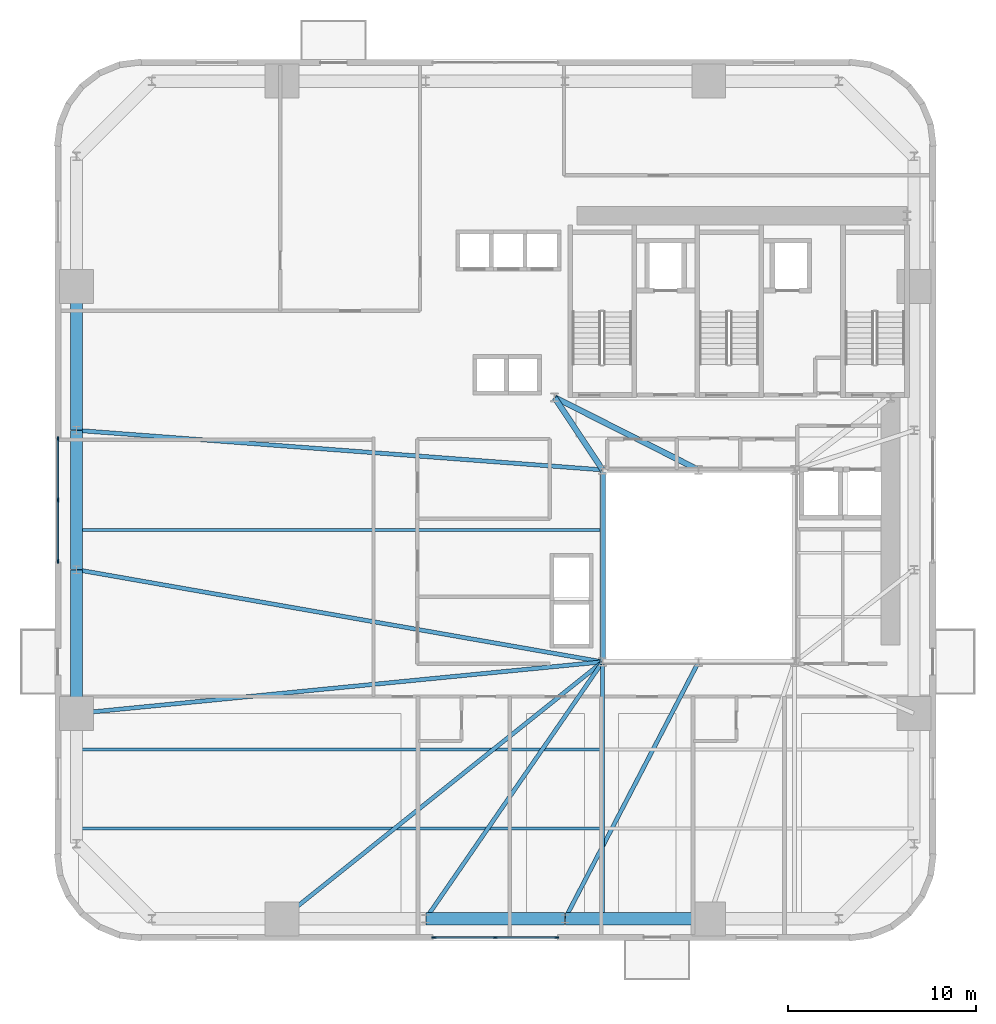
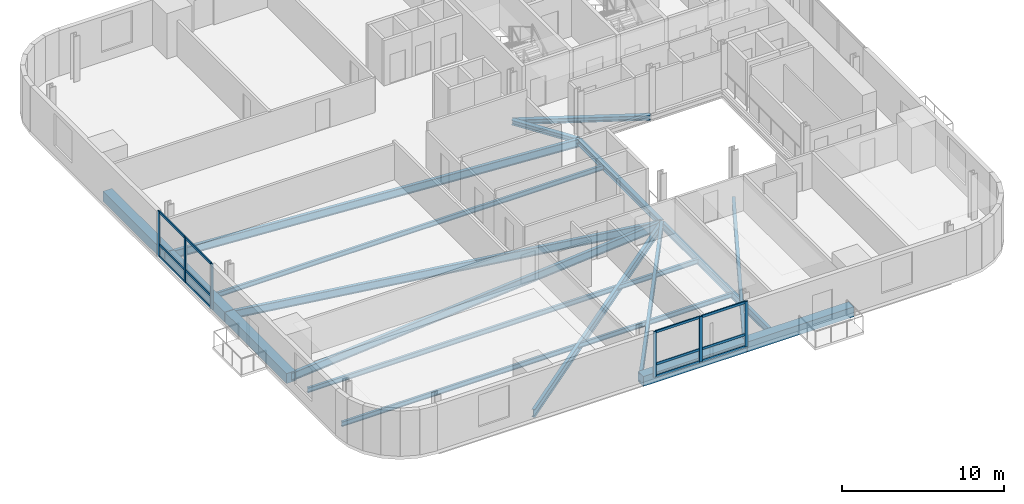
# One storey, part 2 of 13: 18 beams, 18 members, 2 elements without a shape of their own.
"""IFC4 building model written with IfcOpenShell, lengths in metres."""

from ifc_helpers import new_model, si_unit, direction, frame, origin, origin_2d, place, context, subcontext, project, spatial, rectangle, i_section, extrude, source, transform, mapped, material, material_profile, profile_set, type_object, element, aggregate, save


model = new_model("IFC4")

# Units and contexts
model_context = context("Model", 3, precision=1e-05, world=origin(), true_north=direction((0.0, 1.0)))
body_context = subcontext(model_context, "Body", "Model", "MODEL_VIEW")
ifc_project = project(units=[si_unit("LENGTHUNIT", "METRE"), si_unit("AREAUNIT", "SQUARE_METRE"), si_unit("VOLUMEUNIT", "CUBIC_METRE"), si_unit("PLANEANGLEUNIT", "RADIAN"), si_unit("MASSUNIT", "GRAM", prefix="KILO")], contexts=[model_context])

# Site, building, storey
site_placement = place(None, origin())
site = spatial("IfcSite", under=ifc_project, at=site_placement, CompositionType="ELEMENT")
building_placement = place(site_placement, origin())
building = spatial("IfcBuilding", under=site, at=building_placement, Name="Vardaveli Station Tower", CompositionType="ELEMENT")
storey_placement = place(building_placement, frame((0.0, 0.0, 45.85009765625)))
storey = spatial("IfcBuildingStorey", under=building, at=storey_placement, Name="L11", CompositionType="ELEMENT", Elevation=45.85009765625)

# Beams
ifc_material_1 = material(Name="Structural steel S355J2", Category="steel")
ifc_material_profile_1 = material_profile(ifc_material_1, i_section(OverallWidth=0.300048828125, OverallDepth=0.449951171875, WebThickness=0.013916015625, FlangeThickness=0.02587890625, FilletRadius=0.027099609375, at=origin_2d()), Name="HEB 450")
ifc_profile_set_1 = profile_set([ifc_material_profile_1], Name="Structural steel S355J2")
beam_type_1 = type_object("IfcBeamType", Name="BM-HEB450", PredefinedType="BEAM", material=ifc_profile_set_1)
shared_shape_1 = source(origin(), body_context, "Body", "SweptSolid", [
    extrude(i_section(OverallWidth=0.300048828125, OverallDepth=0.449951171875, WebThickness=0.013916015625, FlangeThickness=0.02587890625, FilletRadius=0.027099609375, at=origin_2d()), origin(), (0.0, 0.0, 1.0), 10.159912109375),
])
beam_1_placement = place(storey_placement, frame((31.199951171875, 26.780029296875, -0.465087890625), z_axis=(0.0, -1.0, 0.0), x_axis=(1.0, 0.0, 0.0)))
element("IfcBeam", 1, at=beam_1_placement, inside=storey, type_object=beam_type_1, Name="ABM-L11-06", PredefinedType="BEAM", context=body_context, shape_type="MappedRepresentation", body=[
    mapped(shared_shape_1, transform((0.0, 0.0, 0.0), scale=1.0)),
])
ifc_material_profile_2 = material_profile(ifc_material_1, i_section(OverallWidth=0.300048828125, OverallDepth=0.360107421875, WebThickness=0.012451171875, FlangeThickness=0.0224609375, FilletRadius=0.027099609375, at=origin_2d()), Name="HEB 360")
ifc_profile_set_2 = profile_set([ifc_material_profile_2], Name="Structural steel S355J2")
beam_type_2 = type_object("IfcBeamType", Name="BM-HEB360", PredefinedType="BEAM", material=ifc_profile_set_2)
shared_shape_2 = source(origin(), body_context, "Body", "SweptSolid", [
    extrude(i_section(OverallWidth=0.300048828125, OverallDepth=0.360107421875, WebThickness=0.012451171875, FlangeThickness=0.0224609375, FilletRadius=0.027099609375, at=origin_2d()), origin(), (0.0, 0.0, 1.0), 4.577880859375),
])
beam_2_placement = place(storey_placement, frame((31.18896484375, 26.816650390625, -0.420166015625), z_axis=(-0.55218702139, 0.833720272879, 0.0), x_axis=(-0.833720272879, -0.55218702139, 0.0)))
element("IfcBeam", 2, at=beam_2_placement, inside=storey, type_object=beam_type_2, Name="CBM-L11-01", PredefinedType="BEAM", context=body_context, shape_type="MappedRepresentation", body=[
    mapped(shared_shape_2, transform((0.0, 0.0, 0.0), scale=1.0)),
])
shared_shape_3 = source(origin(), body_context, "Body", "SweptSolid", [
    extrude(i_section(OverallWidth=0.300048828125, OverallDepth=0.360107421875, WebThickness=0.012451171875, FlangeThickness=0.0224609375, FilletRadius=0.027099609375, at=origin_2d()), origin(), (0.0, 0.0, 1.0), 8.524169921875),
])
beam_3_placement = place(storey_placement, frame((28.66796875, 30.64111328125, -0.420166015625), z_axis=(0.893255584708, -0.449549174605, 0.0), x_axis=(0.449549174605, 0.893255584708, 0.0)))
element("IfcBeam", 3, at=beam_3_placement, inside=storey, type_object=beam_type_2, Name="CBM-L11-03", PredefinedType="BEAM", context=body_context, shape_type="MappedRepresentation", body=[
    mapped(shared_shape_3, transform((0.0, 0.0, 0.0), scale=1.0)),
])
ifc_material_2 = material(Name="Precast concrete C45/55", Category="concrete")
ifc_material_profile_3 = material_profile(ifc_material_2, rectangle(XDim=0.64990234375, YDim=0.75, at=origin_2d()), Name="LPB 650x750")
ifc_profile_set_3 = profile_set([ifc_material_profile_3], Name="Precast concrete C45/55")
beam_type_3 = type_object("IfcBeamType", Name="BM-LPB-750", PredefinedType="BEAM", material=ifc_profile_set_3)
shared_shape_4 = source(origin(), body_context, "Body", "SweptSolid", [
    extrude(rectangle(XDim=0.64990234375, YDim=0.75, at=origin_2d()), origin(), (0.0, 0.0, 1.0), 7.60009765625),
])
for number, where, z_axis, x_axis, name in (
    (4, (29.219970703125, 2.949951171875, -0.614990234375), (1.0, 0.0, 0.0), (0.0, 1.0, 0.0), "RBM-L11-03"),
    (5, (3.25, 36.52001953125, -0.614990234375), (0.0, -1.0, 0.0), (1.0, 0.0, 0.0), "RBM-L11-19"),
    (6, (3.25, 21.47998046875, -0.614990234375), (0.0, -1.0, 0.0), (1.0, 0.0, 0.0), "RBM-L11-21"),
):
    element("IfcBeam", number, at=place(storey_placement, frame(where, z_axis=z_axis, x_axis=x_axis)), inside=storey, type_object=beam_type_3, Name=name, PredefinedType="BEAM", context=body_context, shape_type="MappedRepresentation", body=[
        mapped(shared_shape_4, transform((0.0, 0.0, 0.0), scale=1.0)),
    ])
shared_shape_5 = source(origin(), body_context, "Body", "SweptSolid", [
    extrude(rectangle(XDim=0.64990234375, YDim=0.75, at=origin_2d()), origin(), (0.0, 0.0, 1.0), 7.35986328125),
])
for number, where, z_axis, x_axis, name in (
    (7, (21.820068359375, 2.949951171875, -0.614990234375), (1.0, 0.0, 0.0), (0.0, 1.0, 0.0), "RBM-L11-02"),
    (8, (3.25, 28.8798828125, -0.614990234375), (0.0, -1.0, 0.0), (1.0, 0.0, 0.0), "RBM-L11-20"),
):
    element("IfcBeam", number, at=place(storey_placement, frame(where, z_axis=z_axis, x_axis=x_axis)), inside=storey, type_object=beam_type_3, Name=name, PredefinedType="BEAM", context=body_context, shape_type="MappedRepresentation", body=[
        mapped(shared_shape_5, transform((0.0, 0.0, 0.0), scale=1.0)),
    ])
ifc_material_profile_4 = material_profile(ifc_material_1, i_section(OverallWidth=0.219970703125, OverallDepth=0.60009765625, WebThickness=0.011962890625, FlangeThickness=0.01904296875, FilletRadius=0.02392578125, at=origin_2d()), Name="IPE 600")
ifc_profile_set_4 = profile_set([ifc_material_profile_4], Name="Structural steel S355J2")
beam_type_4 = type_object("IfcBeamType", Name="BM-IPE600", PredefinedType="BEAM", material=ifc_profile_set_4)
shared_shape_6 = source(origin(), body_context, "Body", "SweptSolid", [
    extrude(i_section(OverallWidth=0.219970703125, OverallDepth=0.60009765625, WebThickness=0.011962890625, FlangeThickness=0.01904296875, FilletRadius=0.02392578125, at=origin_2d()), origin(), (0.0, 0.0, 1.0), 21.793212890625),
])
beam_4_placement = place(storey_placement, frame((14.175537109375, 2.96240234375, -0.5400390625), z_axis=(0.780466445023, 0.625197671296, 0.0), x_axis=(-0.625197671296, 0.780466445023, 0.0)))
element("IfcBeam", 9, at=beam_4_placement, inside=storey, type_object=beam_type_4, Name="GBM-L11-01", PredefinedType="BEAM", context=body_context, shape_type="MappedRepresentation", body=[
    mapped(shared_shape_6, transform((0.0, 0.0, 0.0), scale=1.0)),
])
shared_shape_7 = source(origin(), body_context, "Body", "SweptSolid", [
    extrude(i_section(OverallWidth=0.219970703125, OverallDepth=0.60009765625, WebThickness=0.011962890625, FlangeThickness=0.01904296875, FilletRadius=0.02392578125, at=origin_2d()), origin(), (0.0, 0.0, 1.0), 16.533447265625),
])
beam_5_placement = place(storey_placement, frame((21.811279296875, 2.966552734375, -0.5400390625), z_axis=(0.567177272103, 0.823595739431, 0.0), x_axis=(-0.823595739431, 0.567177272103, 0.0)))
element("IfcBeam", 10, at=beam_5_placement, inside=storey, type_object=beam_type_4, Name="GBM-L11-02", PredefinedType="BEAM", context=body_context, shape_type="MappedRepresentation", body=[
    mapped(shared_shape_7, transform((0.0, 0.0, 0.0), scale=1.0)),
])
shared_shape_8 = source(origin(), body_context, "Body", "SweptSolid", [
    extrude(i_section(OverallWidth=0.219970703125, OverallDepth=0.60009765625, WebThickness=0.011962890625, FlangeThickness=0.01904296875, FilletRadius=0.02392578125, at=origin_2d()), origin(), (0.0, 0.0, 1.0), 15.34619140625),
])
beam_6_placement = place(storey_placement, frame((29.209228515625, 2.9677734375, -0.5400390625), z_axis=(0.461455420507, 0.887163398075, 0.0), x_axis=(-0.887163398075, 0.461455420507, 0.0)))
element("IfcBeam", 11, at=beam_6_placement, inside=storey, type_object=beam_type_4, Name="GBM-L11-03", PredefinedType="BEAM", context=body_context, shape_type="MappedRepresentation", body=[
    mapped(shared_shape_8, transform((0.0, 0.0, 0.0), scale=1.0)),
])
shared_shape_9 = source(origin(), body_context, "Body", "SweptSolid", [
    extrude(i_section(OverallWidth=0.219970703125, OverallDepth=0.60009765625, WebThickness=0.011962890625, FlangeThickness=0.01904296875, FilletRadius=0.02392578125, at=origin_2d()), origin(), (0.0, 0.0, 1.0), 27.98876953125),
])
beam_7_placement = place(storey_placement, frame((3.27001953125, 28.8984375, -0.5400390625), z_axis=(0.99718954315, -0.074920057611, 0.0), x_axis=(0.074920057611, 0.99718954315, 0.0)))
element("IfcBeam", 12, at=beam_7_placement, inside=storey, type_object=beam_type_4, Name="GBM-L11-08", PredefinedType="BEAM", context=body_context, shape_type="MappedRepresentation", body=[
    mapped(shared_shape_9, transform((0.0, 0.0, 0.0), scale=1.0)),
])
shared_shape_10 = source(origin(), body_context, "Body", "SweptSolid", [
    extrude(i_section(OverallWidth=0.219970703125, OverallDepth=0.60009765625, WebThickness=0.011962890625, FlangeThickness=0.01904296875, FilletRadius=0.02392578125, at=origin_2d()), origin(), (0.0, 0.0, 1.0), 28.33642578125),
])
beam_8_placement = place(storey_placement, frame((3.269775390625, 21.49658203125, -0.5400390625), z_axis=(0.984978267336, -0.172678350921, 0.0), x_axis=(0.172678350921, 0.984978267336, 0.0)))
element("IfcBeam", 13, at=beam_8_placement, inside=storey, type_object=beam_type_4, Name="GBM-L11-09", PredefinedType="BEAM", context=body_context, shape_type="MappedRepresentation", body=[
    mapped(shared_shape_10, transform((0.0, 0.0, 0.0), scale=1.0)),
])
shared_shape_11 = source(origin(), body_context, "Body", "SweptSolid", [
    extrude(i_section(OverallWidth=0.219970703125, OverallDepth=0.60009765625, WebThickness=0.011962890625, FlangeThickness=0.01904296875, FilletRadius=0.02392578125, at=origin_2d()), origin(), (0.0, 0.0, 1.0), 28.0439453125),
])
beam_9_placement = place(storey_placement, frame((3.27001953125, 13.862060546875, -0.5400390625), z_axis=(0.995229237856, 0.097564153855, 0.0), x_axis=(-0.097564153855, 0.995229237856, 0.0)))
element("IfcBeam", 14, at=beam_9_placement, inside=storey, type_object=beam_type_4, Name="GBM-L11-10", PredefinedType="BEAM", context=body_context, shape_type="MappedRepresentation", body=[
    mapped(shared_shape_11, transform((0.0, 0.0, 0.0), scale=1.0)),
])
ifc_material_profile_5 = material_profile(ifc_material_1, i_section(OverallWidth=0.2099609375, OverallDepth=0.550048828125, WebThickness=0.010986328125, FlangeThickness=0.01708984375, FilletRadius=0.02392578125, at=origin_2d()), Name="IPE 550")
ifc_profile_set_5 = profile_set([ifc_material_profile_5], Name="Structural steel S355J2")
beam_type_5 = type_object("IfcBeamType", Name="BM-IPE550", PredefinedType="BEAM", material=ifc_profile_set_5)
shared_shape_12 = source(origin(), body_context, "Body", "SweptSolid", [
    extrude(i_section(OverallWidth=0.2099609375, OverallDepth=0.550048828125, WebThickness=0.010986328125, FlangeThickness=0.01708984375, FilletRadius=0.02392578125, at=origin_2d()), origin(), (0.0, 0.0, 1.0), 13.469970703125),
])
beam_10_placement = place(storey_placement, frame((31.199951171875, 2.989990234375, -0.51513671875), z_axis=(0.0, 1.0, 0.0), x_axis=(-1.0, 0.0, 0.0)))
element("IfcBeam", 15, at=beam_10_placement, inside=storey, type_object=beam_type_5, Name="NSM-L11-S1", PredefinedType="BEAM", context=body_context, shape_type="MappedRepresentation", body=[
    mapped(shared_shape_12, transform((0.0, 0.0, 0.0), scale=1.0)),
])
ifc_material_profile_6 = material_profile(ifc_material_1, i_section(OverallWidth=0.169921875, OverallDepth=0.360107421875, WebThickness=0.008056640625, FlangeThickness=0.0126953125, FilletRadius=0.01806640625, at=origin_2d()), Name="IPE 360")
ifc_profile_set_6 = profile_set([ifc_material_profile_6], Name="Structural steel S355J2")
beam_type_6 = type_object("IfcBeamType", Name="BM-IPE360", PredefinedType="JOIST", material=ifc_profile_set_6)
shared_shape_13 = source(origin(), body_context, "Body", "SweptSolid", [
    extrude(i_section(OverallWidth=0.169921875, OverallDepth=0.360107421875, WebThickness=0.008056640625, FlangeThickness=0.0126953125, FilletRadius=0.01806640625, at=origin_2d()), origin(), (0.0, 0.0, 1.0), 27.7978515625),
])
for number, where, z_axis, x_axis, name in (
    (16, (3.2900390625, 7.75, -0.420166015625), (1.0, 0.0, 0.0), (0.0, 1.0, 0.0), "SJ-L11-S01"),
    (17, (3.2900390625, 11.949951171875, -0.420166015625), (1.0, 0.0, 0.0), (0.0, 1.0, 0.0), "SJ-L11-S04"),
    (18, (3.2900390625, 23.60009765625, -0.420166015625), (1.0, 0.0, 0.0), (0.0, 1.0, 0.0), "SJ-L11-W08"),
):
    element("IfcBeam", number, at=place(storey_placement, frame(where, z_axis=z_axis, x_axis=x_axis)), inside=storey, type_object=beam_type_6, Name=name, PredefinedType="JOIST", context=body_context, shape_type="MappedRepresentation", body=[
        mapped(shared_shape_13, transform((0.0, 0.0, 0.0), scale=1.0)),
    ])

# Curtain wall, members
ifc_material_3 = material(Name="Travertine stone and solar-control glass", Category="masonry")
curtain_wall_type = type_object("IfcCurtainWallType", Name="CW-SYS-2", PredefinedType="NOTDEFINED", material=ifc_material_3)
curtain_wall_1_placement = place(storey_placement, origin())
curtain_wall_1 = element("IfcCurtainWall", 19, at=curtain_wall_1_placement, inside=storey, type_object=curtain_wall_type, Name="CW-L11-S", PredefinedType="NOTDEFINED")
ifc_material_4 = material(Name="Anodised aluminium alloy 6063-T6", Category="aluminium")
ifc_material_profile_7 = material_profile(ifc_material_4, rectangle(XDim=0.0849609375, YDim=0.219970703125, at=origin_2d()), Name="CWM 85x220")
ifc_profile_set_7 = profile_set([ifc_material_profile_7], Name="Anodised aluminium alloy 6063-T6")
member_type_1 = type_object("IfcMemberType", Name="CW-SYS-2-MULL", PredefinedType="MULLION", material=ifc_profile_set_7)
shared_shape_14 = source(origin(), body_context, "Body", "SweptSolid", [
    extrude(rectangle(XDim=0.0849609375, YDim=0.219970703125, at=origin_2d()), origin(), (0.0, 0.0, 1.0), 3.409912109375),
])
member_1_placement = place(storey_placement, frame((22.242431640625, 1.9599609375, 0.0), z_axis=(0.0, 0.0, 1.0), x_axis=(0.0, 1.0, 0.0)))
member_1 = element("IfcMember", 20, at=member_1_placement, type_object=member_type_1, Name="CW-2 mullion 1", PredefinedType="MULLION", context=body_context, shape_type="MappedRepresentation", body=[
    mapped(shared_shape_14, transform((0.0, 0.0, 0.0), scale=1.0)),
])
member_2_placement = place(storey_placement, frame((25.5, 1.9599609375, 0.0), z_axis=(0.0, 0.0, 1.0), x_axis=(0.0, 1.0, 0.0)))
member_2 = element("IfcMember", 21, at=member_2_placement, type_object=member_type_1, Name="CW-2 mullion 2", PredefinedType="MULLION", context=body_context, shape_type="MappedRepresentation", body=[
    mapped(shared_shape_14, transform((0.0, 0.0, 0.0), scale=1.0)),
])
member_3_placement = place(storey_placement, frame((28.757568359375, 1.9599609375, 0.0), z_axis=(0.0, 0.0, 1.0), x_axis=(0.0, 1.0, 0.0)))
member_3 = element("IfcMember", 22, at=member_3_placement, type_object=member_type_1, Name="CW-2 mullion 3", PredefinedType="MULLION", context=body_context, shape_type="MappedRepresentation", body=[
    mapped(shared_shape_14, transform((0.0, 0.0, 0.0), scale=1.0)),
])

curtain_wall_2_placement = place(storey_placement, origin())
curtain_wall_2 = element("IfcCurtainWall", 23, at=curtain_wall_2_placement, inside=storey, type_object=curtain_wall_type, Name="CW-L11-W", PredefinedType="NOTDEFINED")
member_4_placement = place(storey_placement, frame((2.260009765625, 28.45751953125, 0.0), z_axis=(0.0, 0.0, 1.0), x_axis=(1.0, 0.0, 0.0)))
member_4 = element("IfcMember", 24, at=member_4_placement, type_object=member_type_1, Name="CW-2 mullion 1", PredefinedType="MULLION", context=body_context, shape_type="MappedRepresentation", body=[
    mapped(shared_shape_14, transform((0.0, 0.0, 0.0), scale=1.0)),
])
member_5_placement = place(storey_placement, frame((2.260009765625, 25.199951171875, 0.0), z_axis=(0.0, 0.0, 1.0), x_axis=(1.0, 0.0, 0.0)))
member_5 = element("IfcMember", 25, at=member_5_placement, type_object=member_type_1, Name="CW-2 mullion 2", PredefinedType="MULLION", context=body_context, shape_type="MappedRepresentation", body=[
    mapped(shared_shape_14, transform((0.0, 0.0, 0.0), scale=1.0)),
])
member_6_placement = place(storey_placement, frame((2.260009765625, 21.9423828125, 0.0), z_axis=(0.0, 0.0, 1.0), x_axis=(1.0, 0.0, 0.0)))
member_6 = element("IfcMember", 26, at=member_6_placement, type_object=member_type_1, Name="CW-2 mullion 3", PredefinedType="MULLION", context=body_context, shape_type="MappedRepresentation", body=[
    mapped(shared_shape_14, transform((0.0, 0.0, 0.0), scale=1.0)),
])

# Member
ifc_material_profile_8 = material_profile(ifc_material_4, rectangle(XDim=0.0849609375, YDim=0.179931640625, at=origin_2d()), Name="CWT 85x180")
ifc_profile_set_8 = profile_set([ifc_material_profile_8], Name="Anodised aluminium alloy 6063-T6")
member_type_2 = type_object("IfcMemberType", Name="CW-SYS-2-TRAN", PredefinedType="NOTDEFINED", material=ifc_profile_set_8)
shared_shape_15 = source(origin(), body_context, "Body", "SweptSolid", [
    extrude(rectangle(XDim=0.0849609375, YDim=0.179931640625, at=origin_2d()), origin(), (0.0, 0.0, 1.0), 3.172607421875),
])
member_7_placement = place(storey_placement, frame((22.284912109375, 1.9599609375, 0.04248046875), z_axis=(1.0, 0.0, 0.0), x_axis=(0.0, 1.0, 0.0)))
member_7 = element("IfcMember", 27, at=member_7_placement, type_object=member_type_2, Name="CW-2 transom 1.1", ObjectType="TRANSOM", PredefinedType="USERDEFINED", context=body_context, shape_type="MappedRepresentation", body=[
    mapped(shared_shape_15, transform((0.0, 0.0, 0.0), scale=1.0)),
])

member_8_placement = place(storey_placement, frame((22.284912109375, 1.9599609375, 0.949951171875), z_axis=(1.0, 0.0, 0.0), x_axis=(0.0, 1.0, 0.0)))
member_8 = element("IfcMember", 28, at=member_8_placement, type_object=member_type_2, Name="CW-2 transom 1.2", ObjectType="TRANSOM", PredefinedType="USERDEFINED", context=body_context, shape_type="MappedRepresentation", body=[
    mapped(shared_shape_15, transform((0.0, 0.0, 0.0), scale=1.0)),
])

member_9_placement = place(storey_placement, frame((22.284912109375, 1.9599609375, 3.367431640625), z_axis=(1.0, 0.0, 0.0), x_axis=(0.0, 1.0, 0.0)))
member_9 = element("IfcMember", 29, at=member_9_placement, type_object=member_type_2, Name="CW-2 transom 1.3", ObjectType="TRANSOM", PredefinedType="USERDEFINED", context=body_context, shape_type="MappedRepresentation", body=[
    mapped(shared_shape_15, transform((0.0, 0.0, 0.0), scale=1.0)),
])

member_10_placement = place(storey_placement, frame((25.54248046875, 1.9599609375, 0.04248046875), z_axis=(1.0, 0.0, 0.0), x_axis=(0.0, 1.0, 0.0)))
member_10 = element("IfcMember", 30, at=member_10_placement, type_object=member_type_2, Name="CW-2 transom 2.1", ObjectType="TRANSOM", PredefinedType="USERDEFINED", context=body_context, shape_type="MappedRepresentation", body=[
    mapped(shared_shape_15, transform((0.0, 0.0, 0.0), scale=1.0)),
])

member_11_placement = place(storey_placement, frame((25.54248046875, 1.9599609375, 0.949951171875), z_axis=(1.0, 0.0, 0.0), x_axis=(0.0, 1.0, 0.0)))
member_11 = element("IfcMember", 31, at=member_11_placement, type_object=member_type_2, Name="CW-2 transom 2.2", ObjectType="TRANSOM", PredefinedType="USERDEFINED", context=body_context, shape_type="MappedRepresentation", body=[
    mapped(shared_shape_15, transform((0.0, 0.0, 0.0), scale=1.0)),
])

member_12_placement = place(storey_placement, frame((25.54248046875, 1.9599609375, 3.367431640625), z_axis=(1.0, 0.0, 0.0), x_axis=(0.0, 1.0, 0.0)))
member_12 = element("IfcMember", 32, at=member_12_placement, type_object=member_type_2, Name="CW-2 transom 2.3", ObjectType="TRANSOM", PredefinedType="USERDEFINED", context=body_context, shape_type="MappedRepresentation", body=[
    mapped(shared_shape_15, transform((0.0, 0.0, 0.0), scale=1.0)),
])

aggregate(curtain_wall_1, [member_1, member_2, member_3, member_7, member_8, member_9, member_10, member_11, member_12])

member_13_placement = place(storey_placement, frame((2.260009765625, 28.4150390625, 0.04248046875), z_axis=(0.0, -1.0, 0.0), x_axis=(1.0, 0.0, 0.0)))
member_13 = element("IfcMember", 33, at=member_13_placement, type_object=member_type_2, Name="CW-2 transom 1.1", ObjectType="TRANSOM", PredefinedType="USERDEFINED", context=body_context, shape_type="MappedRepresentation", body=[
    mapped(shared_shape_15, transform((0.0, 0.0, 0.0), scale=1.0)),
])

member_14_placement = place(storey_placement, frame((2.260009765625, 28.4150390625, 0.949951171875), z_axis=(0.0, -1.0, 0.0), x_axis=(1.0, 0.0, 0.0)))
member_14 = element("IfcMember", 34, at=member_14_placement, type_object=member_type_2, Name="CW-2 transom 1.2", ObjectType="TRANSOM", PredefinedType="USERDEFINED", context=body_context, shape_type="MappedRepresentation", body=[
    mapped(shared_shape_15, transform((0.0, 0.0, 0.0), scale=1.0)),
])

member_15_placement = place(storey_placement, frame((2.260009765625, 28.4150390625, 3.367431640625), z_axis=(0.0, -1.0, 0.0), x_axis=(1.0, 0.0, 0.0)))
member_15 = element("IfcMember", 35, at=member_15_placement, type_object=member_type_2, Name="CW-2 transom 1.3", ObjectType="TRANSOM", PredefinedType="USERDEFINED", context=body_context, shape_type="MappedRepresentation", body=[
    mapped(shared_shape_15, transform((0.0, 0.0, 0.0), scale=1.0)),
])

shared_shape_16 = source(origin(), body_context, "Body", "SweptSolid", [
    extrude(rectangle(XDim=0.0849609375, YDim=0.179931640625, at=origin_2d()), origin(), (0.0, 0.0, 1.0), 3.17236328125),
])
member_16_placement = place(storey_placement, frame((2.260009765625, 25.157470703125, 0.04248046875), z_axis=(0.0, -1.0, 0.0), x_axis=(1.0, 0.0, 0.0)))
member_16 = element("IfcMember", 36, at=member_16_placement, type_object=member_type_2, Name="CW-2 transom 2.1", ObjectType="TRANSOM", PredefinedType="USERDEFINED", context=body_context, shape_type="MappedRepresentation", body=[
    mapped(shared_shape_16, transform((0.0, 0.0, 0.0), scale=1.0)),
])

member_17_placement = place(storey_placement, frame((2.260009765625, 25.157470703125, 0.949951171875), z_axis=(0.0, -1.0, 0.0), x_axis=(1.0, 0.0, 0.0)))
member_17 = element("IfcMember", 37, at=member_17_placement, type_object=member_type_2, Name="CW-2 transom 2.2", ObjectType="TRANSOM", PredefinedType="USERDEFINED", context=body_context, shape_type="MappedRepresentation", body=[
    mapped(shared_shape_16, transform((0.0, 0.0, 0.0), scale=1.0)),
])

member_18_placement = place(storey_placement, frame((2.260009765625, 25.157470703125, 3.367431640625), z_axis=(0.0, -1.0, 0.0), x_axis=(1.0, 0.0, 0.0)))
member_18 = element("IfcMember", 38, at=member_18_placement, type_object=member_type_2, Name="CW-2 transom 2.3", ObjectType="TRANSOM", PredefinedType="USERDEFINED", context=body_context, shape_type="MappedRepresentation", body=[
    mapped(shared_shape_16, transform((0.0, 0.0, 0.0), scale=1.0)),
])

aggregate(curtain_wall_2, [member_4, member_5, member_6, member_13, member_14, member_15, member_16, member_17, member_18])

save(model, "model.ifc")
